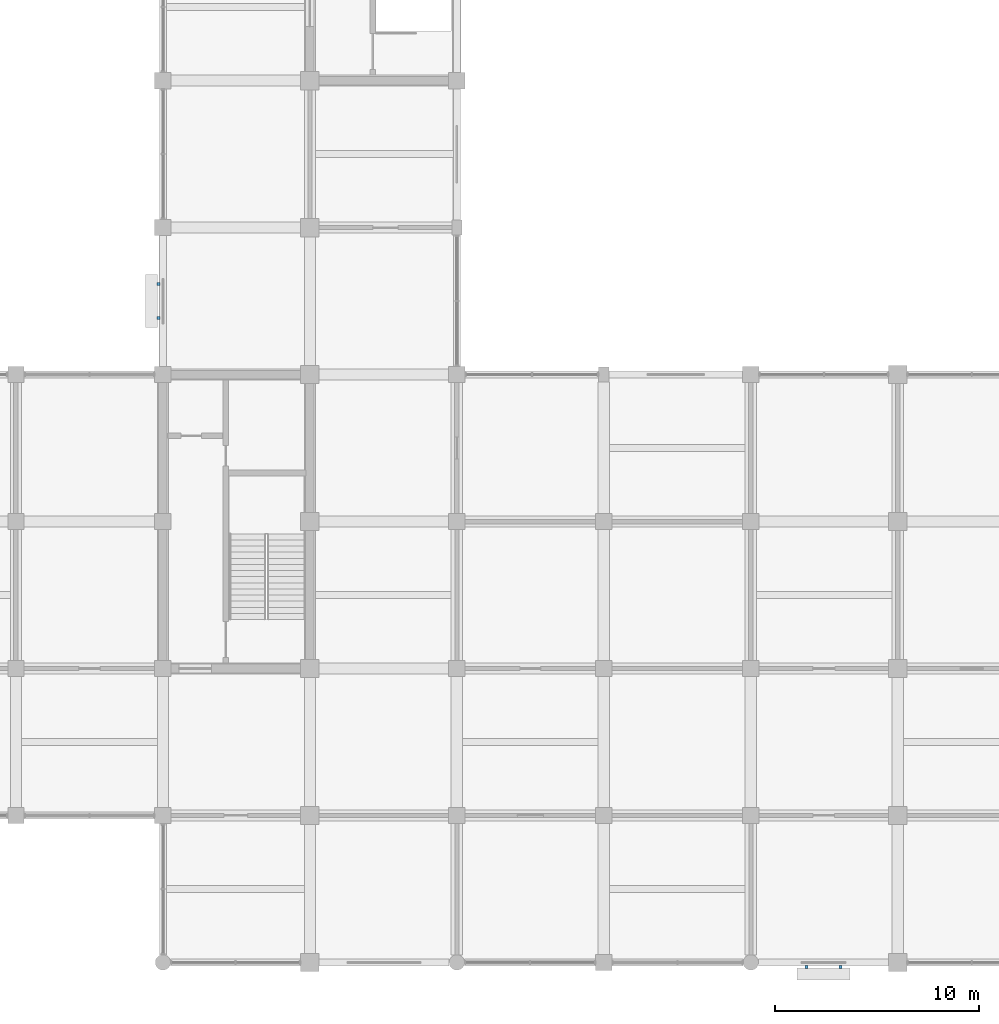
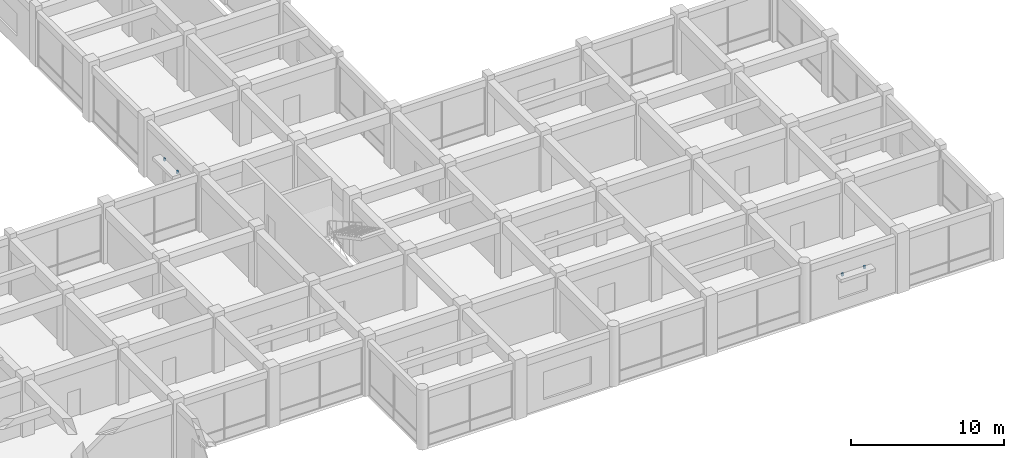
# One storey, part 71 of 75: 4 discrete accessories.
"""IFC4 building model written with IfcOpenShell, lengths in metres."""

import ifcopenshell
import ifcopenshell.guid

model = None  # the IFC model being written
_history = None  # IfcOwnerHistory: only IFC2X3 demands one
_inside = {}  # id of a spatial element -> (the spatial element, [elements in it])
_under = {}  # id of a project, library or spatial element -> (it, [spatial elements below it])
_declared = {}  # id of a project -> (the project, [libraries it declares])
_typed = {}  # id of a type object -> (the type object, [elements of that type])
_made_of = {}  # id of a material, layer set ... -> (it, [elements and type objects made of it])


def new_model(schema):
    """Start an empty IFC model of exactly this schema.

    Asked for "IFC4X3", IfcOpenShell would pick the latest addendum, in which some entities
    have other attributes; the version numbers below select the first issue.
    IFC2X3 requires an IfcOwnerHistory on every rooted entity: one is made here for all.
    """
    global model, _history
    if schema == "IFC4X3":
        model = ifcopenshell.file(schema_version=(4, 3, 0, 0))
    else:
        model = ifcopenshell.file(schema=schema)
    _inside.clear()
    _under.clear()
    _declared.clear()
    _typed.clear()
    _made_of.clear()
    _history = None
    if model.schema == "IFC2X3":
        org = make("IfcOrganization", Name="unknown")
        user = make(
            "IfcPersonAndOrganization",
            ThePerson=make("IfcPerson", FamilyName="unknown"),
            TheOrganization=org,
        )
        app = make(
            "IfcApplication",
            ApplicationDeveloper=org,
            Version="unknown",
            ApplicationFullName="unknown",
            ApplicationIdentifier="unknown",
        )
        _history = make(
            "IfcOwnerHistory",
            OwningUser=user,
            OwningApplication=app,
            ChangeAction="ADDED",
            CreationDate=0,
        )
    return model


def make(cls, **values):
    """One entity of the class cls with the attributes given. An attribute that is None is left unset."""
    return model.create_entity(
        cls, **{name: value for name, value in values.items() if value is not None}
    )


def rooted(cls, **values):
    """An entity with a GlobalId (a new one), such as an element, a storey or a relation."""
    return make(cls, GlobalId=ifcopenshell.guid.new(), OwnerHistory=_history, **values)


def si_unit(unit_type, name, prefix=None):
    """IfcSIUnit, for example si_unit("LENGTHUNIT", "METRE", prefix="MILLI")."""
    return make("IfcSIUnit", UnitType=unit_type, Prefix=prefix, Name=name)


def assignment(units):
    """IfcUnitAssignment: the units of a project."""
    return None if units is None else make("IfcUnitAssignment", Units=units)


def point(xyz):
    """IfcCartesianPoint."""
    return None if xyz is None else make("IfcCartesianPoint", Coordinates=xyz)


def direction(xyz):
    """IfcDirection."""
    return None if xyz is None else make("IfcDirection", DirectionRatios=xyz)


def frame(location, z_axis=None, x_axis=None):
    """IfcAxis2Placement3D, a coordinate frame: its origin and axes. An axis left out is left unset."""
    return make(
        "IfcAxis2Placement3D",
        Location=point(location),
        Axis=direction(z_axis),
        RefDirection=direction(x_axis),
    )


def frame_2d(location, x_axis=None):
    """IfcAxis2Placement2D, a coordinate frame in the plane: its origin and x axis."""
    return make(
        "IfcAxis2Placement2D", Location=point(location), RefDirection=direction(x_axis)
    )


def origin():
    """The frame at (0, 0, 0) with its axes left unset."""
    return frame((0.0, 0.0, 0.0))


def origin_2d():
    """The frame at (0, 0) in the plane with its x axis left unset."""
    return frame_2d((0.0, 0.0))


def place(relative_to, where):
    """IfcLocalPlacement: puts the frame where relative to a parent placement (None: the world)."""
    return make(
        "IfcLocalPlacement", PlacementRelTo=relative_to, RelativePlacement=where
    )


def context(
    kind, dimensions, precision=None, world=None, true_north=None, identifier=None
):
    """IfcGeometricRepresentationContext, for example the 3D "Model" context."""
    return make(
        "IfcGeometricRepresentationContext",
        ContextIdentifier=identifier,
        ContextType=kind,
        CoordinateSpaceDimension=dimensions,
        Precision=precision,
        WorldCoordinateSystem=world,
        TrueNorth=true_north,
    )


def subcontext(parent, identifier, kind, view, scale=None):
    """IfcGeometricRepresentationSubContext, for example "Body" below "Model"."""
    return make(
        "IfcGeometricRepresentationSubContext",
        ContextIdentifier=identifier,
        ContextType=kind,
        ParentContext=parent,
        TargetScale=scale,
        TargetView=view,
    )


def project(units=None, contexts=None):
    """IfcProject with its units and contexts."""
    return rooted(
        "IfcProject",
        Name="project",
        RepresentationContexts=contexts,
        UnitsInContext=assignment(units),
    )


def spatial(cls, under=None, at=None, **own):
    """A site, building, storey or space (cls), placed at a placement, below another one or the project."""
    s = rooted(cls, ObjectPlacement=at, **own)
    if under is not None:
        _under.setdefault(under.id(), (under, []))[1].append(s)
    return s


def profile(cls, at=None, kind="AREA", **sizes):
    """A parametric profile (cls). Its sizes go by their IFC names, for example OverallWidth=200.0."""
    return make(cls, ProfileType=kind, Position=at, **sizes)


def rectangle(**sizes):
    """IfcRectangleProfileDef."""
    return profile("IfcRectangleProfileDef", **sizes)


def extrude(swept, where, along, depth):
    """IfcExtrudedAreaSolid: the profile swept, set in the frame where, extruded along a direction by depth."""
    return make(
        "IfcExtrudedAreaSolid",
        SweptArea=swept,
        Position=where,
        ExtrudedDirection=direction(along),
        Depth=depth,
    )


def shape(context_of_items, identifier, shape_type, items):
    """IfcShapeRepresentation: the items that make up one representation, for example the "Body"."""
    return make(
        "IfcShapeRepresentation",
        ContextOfItems=context_of_items,
        RepresentationIdentifier=identifier,
        RepresentationType=shape_type,
        Items=items,
    )


def material(Name=None, Category=None):
    """IfcMaterial."""
    return make("IfcMaterial", Name=Name, Category=Category)


def made_of(thing, what):
    """Note that an element or type object is made of a material, layer set ...; save() writes the relation."""
    if what is not None:
        _made_of.setdefault(what.id(), (what, []))[1].append(thing)
    return thing


def type_object(cls, material=None, **own):
    """A type object (cls), such as IfcWallType, which elements share."""
    return made_of(rooted(cls, **own), material)


def element(
    cls,
    number,
    at=None,
    inside=None,
    cuts=None,
    type_object=None,
    material=None,
    context=None,
    identifier="Body",
    shape_type=None,
    held_by="IfcProductDefinitionShape",
    body=None,
    shapes=None,
    **own,
):
    """One element of the class cls, such as IfcWall. Its Tag is "e" and its number.

    at: its placement. inside: the storey or other place that contains it. cuts: it is an
    opening in that element (IfcRelVoidsElement). A single representation is given by context,
    identifier, shape_type and body (its items); several are given by shapes. held_by: the class
    of the entity that holds the representations. save() writes the other relations.
    """
    e = rooted(cls, Tag="e%d" % number, ObjectPlacement=at, **own)
    if body is not None:
        shapes = [shape(context, identifier, shape_type, body)]
    if shapes is not None:
        e.Representation = make(held_by, Representations=shapes)
    if inside is not None:
        _inside.setdefault(inside.id(), (inside, []))[1].append(e)
    if cuts is not None:
        rooted(
            "IfcRelVoidsElement", RelatingBuildingElement=cuts, RelatedOpeningElement=e
        )
    if type_object is not None:
        _typed.setdefault(type_object.id(), (type_object, []))[1].append(e)
    return made_of(e, material)


def aggregate(whole, parts):
    """IfcRelAggregates: a whole, such as a stair, and the parts it consists of."""
    return rooted("IfcRelAggregates", RelatingObject=whole, RelatedObjects=parts)


def save(model, path):
    """Write the relations noted so far, then the file.

    IfcRelAggregates (storeys below a building ...), IfcRelContainedInSpatialStructure (elements
    in a storey), IfcRelDefinesByType, IfcRelAssociatesMaterial and IfcRelDeclares: one each for
    every whole, place, type object, material and project.
    """
    for whole, parts in _under.values():
        aggregate(whole, parts)
    for where, things in _inside.values():
        rooted(
            "IfcRelContainedInSpatialStructure",
            RelatedElements=things,
            RelatingStructure=where,
        )
    for kind, things in _typed.values():
        rooted("IfcRelDefinesByType", RelatedObjects=things, RelatingType=kind)
    for what, things in _made_of.values():
        rooted("IfcRelAssociatesMaterial", RelatedObjects=things, RelatingMaterial=what)
    for by, libraries in _declared.values():
        rooted("IfcRelDeclares", RelatingContext=by, RelatedDefinitions=libraries)
    model.write(path)


model = new_model("IFC4")

# Units and contexts
model_context = context("Model", 3, precision=1e-05, world=origin(), true_north=direction((0.0, 1.0)))
body_context = subcontext(model_context, "Body", "Model", "MODEL_VIEW")
ifc_project = project(units=[si_unit("LENGTHUNIT", "METRE"), si_unit("AREAUNIT", "SQUARE_METRE"), si_unit("VOLUMEUNIT", "CUBIC_METRE"), si_unit("PLANEANGLEUNIT", "RADIAN"), si_unit("MASSUNIT", "GRAM", prefix="KILO")], contexts=[model_context])

# Site, building, storey
site_placement = place(None, origin())
site = spatial("IfcSite", under=ifc_project, at=site_placement, CompositionType="ELEMENT")
building_placement = place(site_placement, origin())
building = spatial("IfcBuilding", under=site, at=building_placement, Name="Cendaluz Park School", CompositionType="ELEMENT")
storey_placement = place(building_placement, frame((0.0, 0.0, 4.800048828125)))
storey = spatial("IfcBuildingStorey", under=building, at=storey_placement, Name="L01", CompositionType="ELEMENT", Elevation=4.800048828125)

# Discrete accessories
ifc_material = material(Name="Steel S355", Category="steel")
discrete_accessory_type = type_object("IfcDiscreteAccessoryType", Name="BK-01", PredefinedType="BRACKET", material=ifc_material)
for number, where, z_axis, x_axis, name in (
    (1, (129.3798828125, 31.568115234375, 2.72998046875), (0.0, 0.0, 1.0), (0.0, 1.0, 0.0), "BK-L01-085"),
    (2, (129.3798828125, 33.23193359375, 2.72998046875), (0.0, 0.0, 1.0), (0.0, 1.0, 0.0), "BK-L01-086"),
    (3, (161.130615234375, -0.219970703125, 2.72998046875), (0.0, 0.0, 1.0), (1.0, 0.0, 0.0), "BK-L01-091"),
    (4, (162.79443359375, -0.219970703125, 2.72998046875), (0.0, 0.0, 1.0), (1.0, 0.0, 0.0), "BK-L01-092"),
):
    element("IfcDiscreteAccessory", number, at=place(storey_placement, frame(where, z_axis=z_axis, x_axis=x_axis)), inside=storey, type_object=discrete_accessory_type, Name=name, PredefinedType="BRACKET", context=body_context, shape_type="SweptSolid", body=[
        extrude(rectangle(XDim=0.139892578125, YDim=0.139892578125, at=origin_2d()), origin(), (0.0, 0.0, 1.0), 0.219970703125),
    ])

save(model, "model.ifc")
